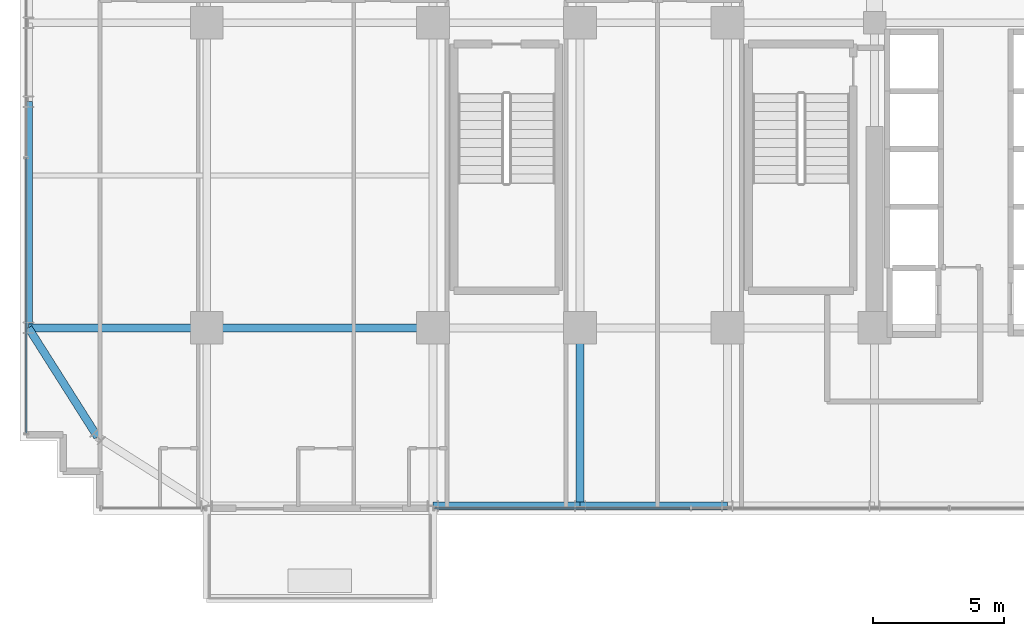
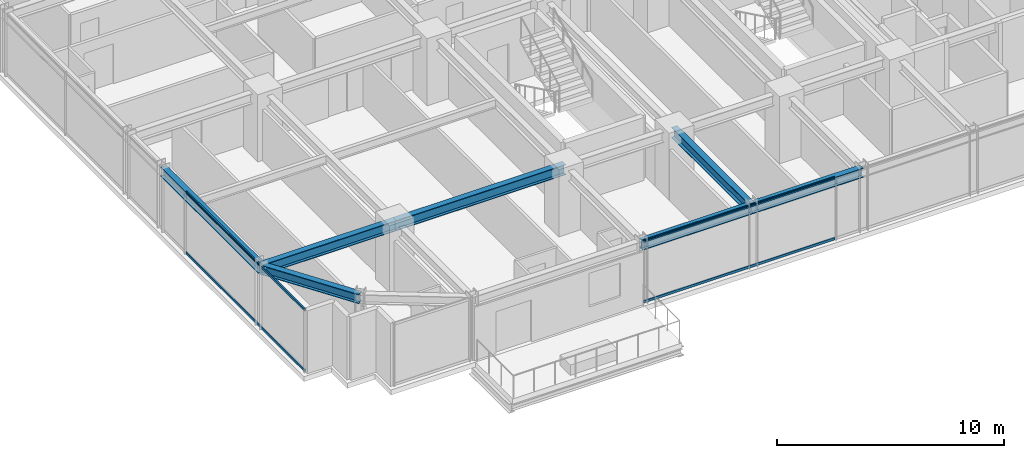
# One storey, part 4 of 33: 7 beams, 4 members, 2 elements without a shape of their own.
"""IFC4 building model written with IfcOpenShell, lengths in metres."""

from ifc_helpers import new_model, si_unit, direction, frame, origin, origin_2d, place, context, subcontext, project, spatial, hollow_rectangle, i_section, extrude, source, transform, mapped, material, material_profile, profile_set, type_object, element, aggregate, save


model = new_model("IFC4")

# Units and contexts
model_context = context("Model", 3, precision=1e-05, world=origin(), true_north=direction((0.0, 1.0)))
body_context = subcontext(model_context, "Body", "Model", "MODEL_VIEW")
ifc_project = project(units=[si_unit("LENGTHUNIT", "METRE"), si_unit("AREAUNIT", "SQUARE_METRE"), si_unit("VOLUMEUNIT", "CUBIC_METRE"), si_unit("PLANEANGLEUNIT", "RADIAN"), si_unit("MASSUNIT", "GRAM", prefix="KILO")], contexts=[model_context])

# Site, building, storey
site_placement = place(None, origin())
site = spatial("IfcSite", under=ifc_project, at=site_placement, CompositionType="ELEMENT")
building_placement = place(site_placement, origin())
building = spatial("IfcBuilding", under=site, at=building_placement, Name="Nahalor Promenade Grand Hotel", CompositionType="ELEMENT")
storey_placement = place(building_placement, frame((0.0, 0.0, 132.10009765625)))
storey = spatial("IfcBuildingStorey", under=building, at=storey_placement, Name="L33", CompositionType="ELEMENT", Elevation=132.10009765625)

# Beams
ifc_material_1 = material(Name="Steel S355JR", Category="steel")
ifc_material_profile_1 = material_profile(ifc_material_1, i_section(OverallWidth=0.3, OverallDepth=0.5, WebThickness=0.0145, FlangeThickness=0.028, at=origin_2d()), Name="HEB 500")
ifc_profile_set_1 = profile_set([ifc_material_profile_1], Name="Steel S355JR")
beam_type_1 = type_object("IfcBeamType", Name="Beam-Spandrel-HEB500", PredefinedType="SPANDREL", material=ifc_profile_set_1)
shared_shape_1 = source(origin(), body_context, "Body", "SweptSolid", [
    extrude(i_section(OverallWidth=0.3, OverallDepth=0.5, WebThickness=0.0145, FlangeThickness=0.028, at=origin_2d()), origin(), (0.0, 0.0, 1.0), 8.60009765625),
])
beam_1_placement = place(storey_placement, frame((-23.780029296875, -17.0, 3.1298828125), z_axis=(0.0, 1.0, 0.0), x_axis=(-1.0, 0.0, 0.0)))
element("IfcBeam", 1, at=beam_1_placement, inside=storey, type_object=beam_type_1, Name="BM-L33-SP-W-0", PredefinedType="SPANDREL", context=body_context, shape_type="MappedRepresentation", body=[
    mapped(shared_shape_1, transform((0.0, 0.0, 0.0), scale=1.0)),
])
shared_shape_2 = source(origin(), body_context, "Body", "SweptSolid", [
    extrude(i_section(OverallWidth=0.3, OverallDepth=0.5, WebThickness=0.0145, FlangeThickness=0.028, at=origin_2d()), origin(), (0.0, 0.0, 1.0), 5.599853515625),
])
beam_2_placement = place(storey_placement, frame((-8.39990234375, -23.780029296875, 3.1298828125), z_axis=(1.0, 0.0, 0.0), x_axis=(0.0, 1.0, 0.0)))
element("IfcBeam", 2, at=beam_2_placement, inside=storey, type_object=beam_type_1, Name="BM-L33-SP-S-1", PredefinedType="SPANDREL", context=body_context, shape_type="MappedRepresentation", body=[
    mapped(shared_shape_2, transform((0.0, 0.0, 0.0), scale=1.0)),
])
shared_shape_3 = source(origin(), body_context, "Body", "SweptSolid", [
    extrude(i_section(OverallWidth=0.3, OverallDepth=0.5, WebThickness=0.0145, FlangeThickness=0.028, at=origin_2d()), origin(), (0.0, 0.0, 1.0), 5.60009765625),
])
beam_3_placement = place(storey_placement, frame((-2.800048828125, -23.780029296875, 3.1298828125), z_axis=(1.0, 0.0, 0.0), x_axis=(0.0, 1.0, 0.0)))
element("IfcBeam", 3, at=beam_3_placement, inside=storey, type_object=beam_type_1, Name="BM-L33-SP-S-2", PredefinedType="SPANDREL", context=body_context, shape_type="MappedRepresentation", body=[
    mapped(shared_shape_3, transform((0.0, 0.0, 0.0), scale=1.0)),
])
shared_shape_4 = source(origin(), body_context, "Body", "SweptSolid", [
    extrude(i_section(OverallWidth=0.3, OverallDepth=0.5, WebThickness=0.0145, FlangeThickness=0.028, at=origin_2d()), origin(), (0.0, 0.0, 1.0), 4.9130859375),
])
beam_4_placement = place(storey_placement, frame((-21.14990234375, -21.14990234375, 3.1298828125), z_axis=(-0.535321591403, 0.844648325505, 0.0), x_axis=(-0.844648325505, -0.535321591403, 0.0)))
element("IfcBeam", 4, at=beam_4_placement, inside=storey, type_object=beam_type_1, Name="BM-L33-SPC-SW-2", PredefinedType="SPANDREL", context=body_context, shape_type="MappedRepresentation", body=[
    mapped(shared_shape_4, transform((0.0, 0.0, 0.0), scale=1.0)),
])
ifc_material_profile_2 = material_profile(ifc_material_1, i_section(OverallWidth=0.3, OverallDepth=0.55, WebThickness=0.015, FlangeThickness=0.029, at=origin_2d()), Name="HEB 550")
ifc_profile_set_2 = profile_set([ifc_material_profile_2], Name="Steel S355JR")
beam_type_2 = type_object("IfcBeamType", Name="Beam-Girder-HEB550", PredefinedType="BEAM", material=ifc_profile_set_2)
shared_shape_5 = source(origin(), body_context, "Body", "SweptSolid", [
    extrude(i_section(OverallWidth=0.3, OverallDepth=0.55, WebThickness=0.015, FlangeThickness=0.029, at=origin_2d()), origin(), (0.0, 0.0, 1.0), 6.780029296875),
])
for number, where, z_axis, x_axis, name in (
    (5, (-23.780029296875, -17.0, 3.10498046875), (1.0, 0.0, 0.0), (0.0, 1.0, 0.0), "BM-L33-GX-0-0"),
    (6, (-2.800048828125, -23.780029296875, 3.10498046875), (0.0, 1.0, 0.0), (-1.0, 0.0, 0.0), "BM-L33-GY-2-0"),
):
    element("IfcBeam", number, at=place(storey_placement, frame(where, z_axis=z_axis, x_axis=x_axis)), inside=storey, type_object=beam_type_2, Name=name, PredefinedType="BEAM", context=body_context, shape_type="MappedRepresentation", body=[
        mapped(shared_shape_5, transform((0.0, 0.0, 0.0), scale=1.0)),
    ])
shared_shape_6 = source(origin(), body_context, "Body", "SweptSolid", [
    extrude(i_section(OverallWidth=0.3, OverallDepth=0.55, WebThickness=0.015, FlangeThickness=0.029, at=origin_2d()), origin(), (0.0, 0.0, 1.0), 8.60009765625),
])
beam_5_placement = place(storey_placement, frame((-17.0, -17.0, 3.10498046875), z_axis=(1.0, 0.0, 0.0), x_axis=(0.0, 1.0, 0.0)))
element("IfcBeam", 7, at=beam_5_placement, inside=storey, type_object=beam_type_2, Name="BM-L33-GX-0-1", PredefinedType="BEAM", context=body_context, shape_type="MappedRepresentation", body=[
    mapped(shared_shape_6, transform((0.0, 0.0, 0.0), scale=1.0)),
])

# Curtain wall, members
ifc_material_2 = material(Name="Anodised Bronze Aluminium EN AW-6063 T6", Category="aluminium")
curtain_wall_type = type_object("IfcCurtainWallType", Name="CW2 Typical Hotel Flush Bronze Unitised Curtain Wall", PredefinedType="USERDEFINED", material=ifc_material_2)
curtain_wall_1_placement = place(storey_placement, origin())
curtain_wall_1 = element("IfcCurtainWall", 8, at=curtain_wall_1_placement, inside=storey, type_object=curtain_wall_type, Name="L33 Curtain Wall CW-L33-S-3", ObjectType="UNITISED_CURTAIN_WALL", PredefinedType="USERDEFINED")
ifc_material_profile_3 = material_profile(ifc_material_2, hollow_rectangle(XDim=0.065, YDim=0.13, WallThickness=0.004, at=origin_2d()), Name="CWT 65x130x4")
ifc_profile_set_3 = profile_set([ifc_material_profile_3], Name="Anodised Bronze Aluminium EN AW-6063 T6")
member_type = type_object("IfcMemberType", Name="CWT2 Typical Bronze Transom 65x130", PredefinedType="USERDEFINED", material=ifc_profile_set_3)
shared_shape_7 = source(origin(), body_context, "Body", "SweptSolid", [
    extrude(hollow_rectangle(XDim=0.065, YDim=0.13, WallThickness=0.004, at=origin_2d()), origin(), (0.0, 0.0, 1.0), 9.722412109375),
])
member_1_placement = place(storey_placement, frame((-8.3349609375, -23.860107421875, 0.06494140625), z_axis=(1.0, 0.0, 0.0), x_axis=(0.0, 1.0, 0.0)))
member_1 = element("IfcMember", 9, at=member_1_placement, type_object=member_type, Name="CW-L33-S-3 Transom 0-0", ObjectType="TRANSOM", PredefinedType="USERDEFINED", context=body_context, shape_type="MappedRepresentation", body=[
    mapped(shared_shape_7, transform((0.0, 0.0, 0.0), scale=1.0)),
])
member_2_placement = place(storey_placement, frame((-8.3349609375, -23.860107421875, 3.31494140625), z_axis=(1.0, 0.0, 0.0), x_axis=(0.0, 1.0, 0.0)))
member_2 = element("IfcMember", 10, at=member_2_placement, type_object=member_type, Name="CW-L33-S-3 Transom 0-1", ObjectType="TRANSOM", PredefinedType="USERDEFINED", context=body_context, shape_type="MappedRepresentation", body=[
    mapped(shared_shape_7, transform((0.0, 0.0, 0.0), scale=1.0)),
])
aggregate(curtain_wall_1, [member_1, member_2])

curtain_wall_2_placement = place(storey_placement, origin())
curtain_wall_2 = element("IfcCurtainWall", 11, at=curtain_wall_2_placement, inside=storey, type_object=curtain_wall_type, Name="L33 Curtain Wall CW-L33-W-1", ObjectType="UNITISED_CURTAIN_WALL", PredefinedType="USERDEFINED")
shared_shape_8 = source(origin(), body_context, "Body", "SweptSolid", [
    extrude(hollow_rectangle(XDim=0.065, YDim=0.13, WallThickness=0.004, at=origin_2d()), origin(), (0.0, 0.0, 1.0), 10.4326171875),
])
member_3_placement = place(storey_placement, frame((-23.860107421875, -20.9951171875, 0.06494140625), z_axis=(0.0, 1.0, 0.0), x_axis=(-1.0, 0.0, 0.0)))
member_3 = element("IfcMember", 12, at=member_3_placement, type_object=member_type, Name="CW-L33-W-1 Transom 0-0", ObjectType="TRANSOM", PredefinedType="USERDEFINED", context=body_context, shape_type="MappedRepresentation", body=[
    mapped(shared_shape_8, transform((0.0, 0.0, 0.0), scale=1.0)),
])
member_4_placement = place(storey_placement, frame((-23.860107421875, -20.9951171875, 3.31494140625), z_axis=(0.0, 1.0, 0.0), x_axis=(-1.0, 0.0, 0.0)))
member_4 = element("IfcMember", 13, at=member_4_placement, type_object=member_type, Name="CW-L33-W-1 Transom 0-1", ObjectType="TRANSOM", PredefinedType="USERDEFINED", context=body_context, shape_type="MappedRepresentation", body=[
    mapped(shared_shape_8, transform((0.0, 0.0, 0.0), scale=1.0)),
])
aggregate(curtain_wall_2, [member_3, member_4])

save(model, "model.ifc")
